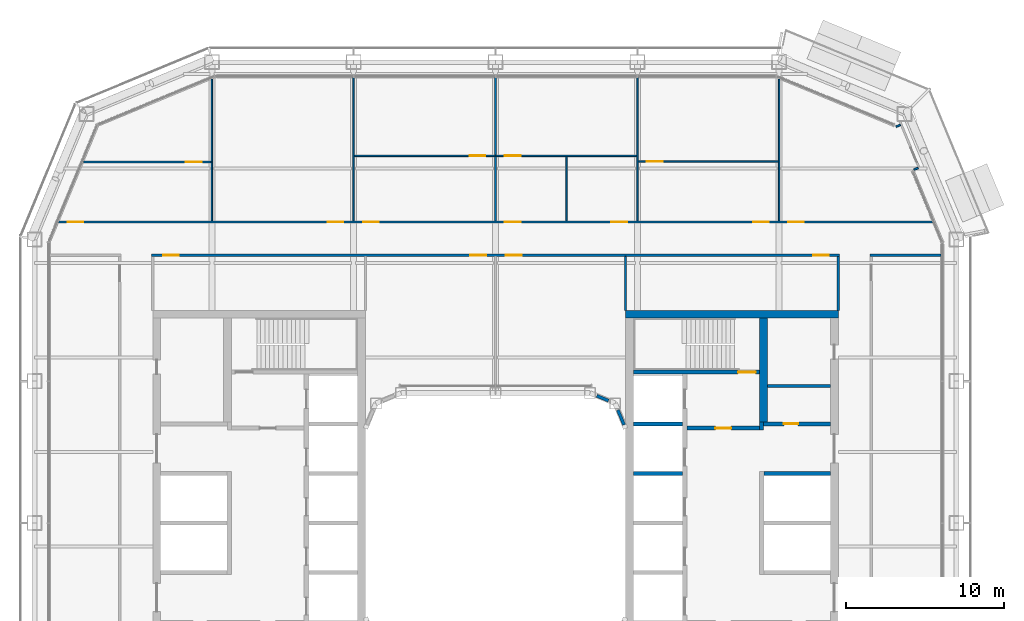
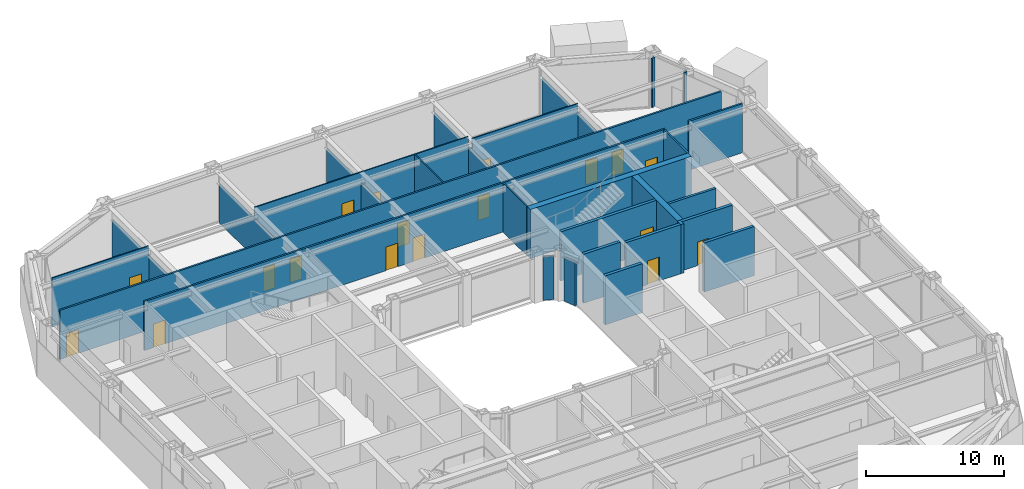
# One storey, part 14 of 24: 29 walls, 18 doors, 18 openings.
"""IFC4 building model written with IfcOpenShell, lengths in metres."""

import ifcopenshell
import ifcopenshell.guid

model = None  # the IFC model being written
_history = None  # IfcOwnerHistory: only IFC2X3 demands one
_inside = {}  # id of a spatial element -> (the spatial element, [elements in it])
_under = {}  # id of a project, library or spatial element -> (it, [spatial elements below it])
_declared = {}  # id of a project -> (the project, [libraries it declares])
_typed = {}  # id of a type object -> (the type object, [elements of that type])
_made_of = {}  # id of a material, layer set ... -> (it, [elements and type objects made of it])


def new_model(schema):
    """Start an empty IFC model of exactly this schema.

    Asked for "IFC4X3", IfcOpenShell would pick the latest addendum, in which some entities
    have other attributes; the version numbers below select the first issue.
    IFC2X3 requires an IfcOwnerHistory on every rooted entity: one is made here for all.
    """
    global model, _history
    if schema == "IFC4X3":
        model = ifcopenshell.file(schema_version=(4, 3, 0, 0))
    else:
        model = ifcopenshell.file(schema=schema)
    _inside.clear()
    _under.clear()
    _declared.clear()
    _typed.clear()
    _made_of.clear()
    _history = None
    if model.schema == "IFC2X3":
        org = make("IfcOrganization", Name="unknown")
        user = make(
            "IfcPersonAndOrganization",
            ThePerson=make("IfcPerson", FamilyName="unknown"),
            TheOrganization=org,
        )
        app = make(
            "IfcApplication",
            ApplicationDeveloper=org,
            Version="unknown",
            ApplicationFullName="unknown",
            ApplicationIdentifier="unknown",
        )
        _history = make(
            "IfcOwnerHistory",
            OwningUser=user,
            OwningApplication=app,
            ChangeAction="ADDED",
            CreationDate=0,
        )
    return model


def make(cls, **values):
    """One entity of the class cls with the attributes given. An attribute that is None is left unset."""
    return model.create_entity(
        cls, **{name: value for name, value in values.items() if value is not None}
    )


def rooted(cls, **values):
    """An entity with a GlobalId (a new one), such as an element, a storey or a relation."""
    return make(cls, GlobalId=ifcopenshell.guid.new(), OwnerHistory=_history, **values)


def si_unit(unit_type, name, prefix=None):
    """IfcSIUnit, for example si_unit("LENGTHUNIT", "METRE", prefix="MILLI")."""
    return make("IfcSIUnit", UnitType=unit_type, Prefix=prefix, Name=name)


def assignment(units):
    """IfcUnitAssignment: the units of a project."""
    return None if units is None else make("IfcUnitAssignment", Units=units)


def point(xyz):
    """IfcCartesianPoint."""
    return None if xyz is None else make("IfcCartesianPoint", Coordinates=xyz)


def direction(xyz):
    """IfcDirection."""
    return None if xyz is None else make("IfcDirection", DirectionRatios=xyz)


def frame(location, z_axis=None, x_axis=None):
    """IfcAxis2Placement3D, a coordinate frame: its origin and axes. An axis left out is left unset."""
    return make(
        "IfcAxis2Placement3D",
        Location=point(location),
        Axis=direction(z_axis),
        RefDirection=direction(x_axis),
    )


def frame_2d(location, x_axis=None):
    """IfcAxis2Placement2D, a coordinate frame in the plane: its origin and x axis."""
    return make(
        "IfcAxis2Placement2D", Location=point(location), RefDirection=direction(x_axis)
    )


def origin():
    """The frame at (0, 0, 0) with its axes left unset."""
    return frame((0.0, 0.0, 0.0))


def place(relative_to, where):
    """IfcLocalPlacement: puts the frame where relative to a parent placement (None: the world)."""
    return make(
        "IfcLocalPlacement", PlacementRelTo=relative_to, RelativePlacement=where
    )


def context(
    kind, dimensions, precision=None, world=None, true_north=None, identifier=None
):
    """IfcGeometricRepresentationContext, for example the 3D "Model" context."""
    return make(
        "IfcGeometricRepresentationContext",
        ContextIdentifier=identifier,
        ContextType=kind,
        CoordinateSpaceDimension=dimensions,
        Precision=precision,
        WorldCoordinateSystem=world,
        TrueNorth=true_north,
    )


def subcontext(parent, identifier, kind, view, scale=None):
    """IfcGeometricRepresentationSubContext, for example "Body" below "Model"."""
    return make(
        "IfcGeometricRepresentationSubContext",
        ContextIdentifier=identifier,
        ContextType=kind,
        ParentContext=parent,
        TargetScale=scale,
        TargetView=view,
    )


def project(units=None, contexts=None):
    """IfcProject with its units and contexts."""
    return rooted(
        "IfcProject",
        Name="project",
        RepresentationContexts=contexts,
        UnitsInContext=assignment(units),
    )


def spatial(cls, under=None, at=None, **own):
    """A site, building, storey or space (cls), placed at a placement, below another one or the project."""
    s = rooted(cls, ObjectPlacement=at, **own)
    if under is not None:
        _under.setdefault(under.id(), (under, []))[1].append(s)
    return s


def profile(cls, at=None, kind="AREA", **sizes):
    """A parametric profile (cls). Its sizes go by their IFC names, for example OverallWidth=200.0."""
    return make(cls, ProfileType=kind, Position=at, **sizes)


def rectangle(**sizes):
    """IfcRectangleProfileDef."""
    return profile("IfcRectangleProfileDef", **sizes)


def extrude(swept, where, along, depth):
    """IfcExtrudedAreaSolid: the profile swept, set in the frame where, extruded along a direction by depth."""
    return make(
        "IfcExtrudedAreaSolid",
        SweptArea=swept,
        Position=where,
        ExtrudedDirection=direction(along),
        Depth=depth,
    )


def shape(context_of_items, identifier, shape_type, items):
    """IfcShapeRepresentation: the items that make up one representation, for example the "Body"."""
    return make(
        "IfcShapeRepresentation",
        ContextOfItems=context_of_items,
        RepresentationIdentifier=identifier,
        RepresentationType=shape_type,
        Items=items,
    )


def material(Name=None, Category=None):
    """IfcMaterial."""
    return make("IfcMaterial", Name=Name, Category=Category)


def layer(
    of_material, thickness, ventilated=None, Name=None, Category=None, Priority=None
):
    """IfcMaterialLayer: one layer of a wall or slab, of a material (None: an air gap)."""
    return make(
        "IfcMaterialLayer",
        Material=of_material,
        LayerThickness=thickness,
        IsVentilated=ventilated,
        Name=Name,
        Category=Category,
        Priority=Priority,
    )


def layer_set(layers, Name=None):
    """IfcMaterialLayerSet."""
    return make("IfcMaterialLayerSet", MaterialLayers=layers, LayerSetName=Name)


def made_of(thing, what):
    """Note that an element or type object is made of a material, layer set ...; save() writes the relation."""
    if what is not None:
        _made_of.setdefault(what.id(), (what, []))[1].append(thing)
    return thing


def type_object(cls, material=None, **own):
    """A type object (cls), such as IfcWallType, which elements share."""
    return made_of(rooted(cls, **own), material)


def element(
    cls,
    number,
    at=None,
    inside=None,
    cuts=None,
    type_object=None,
    material=None,
    context=None,
    identifier="Body",
    shape_type=None,
    held_by="IfcProductDefinitionShape",
    body=None,
    shapes=None,
    **own,
):
    """One element of the class cls, such as IfcWall. Its Tag is "e" and its number.

    at: its placement. inside: the storey or other place that contains it. cuts: it is an
    opening in that element (IfcRelVoidsElement). A single representation is given by context,
    identifier, shape_type and body (its items); several are given by shapes. held_by: the class
    of the entity that holds the representations. save() writes the other relations.
    """
    e = rooted(cls, Tag="e%d" % number, ObjectPlacement=at, **own)
    if body is not None:
        shapes = [shape(context, identifier, shape_type, body)]
    if shapes is not None:
        e.Representation = make(held_by, Representations=shapes)
    if inside is not None:
        _inside.setdefault(inside.id(), (inside, []))[1].append(e)
    if cuts is not None:
        rooted(
            "IfcRelVoidsElement", RelatingBuildingElement=cuts, RelatedOpeningElement=e
        )
    if type_object is not None:
        _typed.setdefault(type_object.id(), (type_object, []))[1].append(e)
    return made_of(e, material)


def fill(opening, filler):
    """IfcRelFillsElement: the door or window that sits in an opening."""
    return rooted(
        "IfcRelFillsElement",
        RelatingOpeningElement=opening,
        RelatedBuildingElement=filler,
    )


def aggregate(whole, parts):
    """IfcRelAggregates: a whole, such as a stair, and the parts it consists of."""
    return rooted("IfcRelAggregates", RelatingObject=whole, RelatedObjects=parts)


def save(model, path):
    """Write the relations noted so far, then the file.

    IfcRelAggregates (storeys below a building ...), IfcRelContainedInSpatialStructure (elements
    in a storey), IfcRelDefinesByType, IfcRelAssociatesMaterial and IfcRelDeclares: one each for
    every whole, place, type object, material and project.
    """
    for whole, parts in _under.values():
        aggregate(whole, parts)
    for where, things in _inside.values():
        rooted(
            "IfcRelContainedInSpatialStructure",
            RelatedElements=things,
            RelatingStructure=where,
        )
    for kind, things in _typed.values():
        rooted("IfcRelDefinesByType", RelatedObjects=things, RelatingType=kind)
    for what, things in _made_of.values():
        rooted("IfcRelAssociatesMaterial", RelatedObjects=things, RelatingMaterial=what)
    for by, libraries in _declared.values():
        rooted("IfcRelDeclares", RelatingContext=by, RelatedDefinitions=libraries)
    model.write(path)


model = new_model("IFC4")

# Units and contexts
model_context = context("Model", 3, precision=1e-05, world=origin(), true_north=direction((0.0, 1.0)))
body_context = subcontext(model_context, "Body", "Model", "MODEL_VIEW")
ifc_project = project(units=[si_unit("LENGTHUNIT", "METRE"), si_unit("AREAUNIT", "SQUARE_METRE"), si_unit("VOLUMEUNIT", "CUBIC_METRE"), si_unit("PLANEANGLEUNIT", "RADIAN"), si_unit("MASSUNIT", "GRAM", prefix="KILO")], contexts=[model_context])

# Site, building, storey
site_placement = place(None, origin())
site = spatial("IfcSite", under=ifc_project, at=site_placement, CompositionType="ELEMENT")
building_placement = place(site_placement, origin())
building = spatial("IfcBuilding", under=site, at=building_placement, Name="Siwar Civic Tower", CompositionType="ELEMENT")
storey_placement = place(building_placement, frame((0.0, 0.0, 113.699951171875)))
storey = spatial("IfcBuildingStorey", under=building, at=storey_placement, Name="L24", CompositionType="ELEMENT", Elevation=113.699951171875)

# Wall
ifc_material_1 = material(Name="Gypsum board on steel studs", Category="steel")
ifc_layer_1 = layer(ifc_material_1, 0.199951171875)
ifc_layer_set_1 = layer_set([ifc_layer_1], Name="Gypsum board on steel studs")
wall_type_1 = type_object("IfcWallType", Name="CORE-PARTITION-200", PredefinedType="PARTITIONING", material=ifc_layer_set_1)
wall_1_placement = place(storey_placement, frame((17.25, 8.699951171875, 0.0), z_axis=(0.0, 0.0, 1.0), x_axis=(1.0, 0.0, 0.0)))
element("IfcWall", 1, at=wall_1_placement, inside=storey, type_object=wall_type_1, Name="Core partition E", PredefinedType="PARTITIONING", context=body_context, shape_type="SweptSolid", body=[
    extrude(rectangle(XDim=4.0, YDim=0.199951171875, at=frame_2d((2.0, 0.0))), origin(), (0.0, 0.0, 1.0), 4.35009765625),
])

# Wall, opening, door
ifc_material_2 = material(Name="Concrete C60/75", Category="concrete")
ifc_layer_2 = layer(ifc_material_2, 0.25)
ifc_layer_set_2 = layer_set([ifc_layer_2], Name="Concrete C60/75")
wall_type_2 = type_object("IfcWallType", Name="CORE-WALL-RC250", PredefinedType="SHEAR", material=ifc_layer_set_2)
wall_2_placement = place(storey_placement, frame((12.14990234375, 6.02490234375, 0.0), z_axis=(0.0, 0.0, 1.0), x_axis=(1.0, 0.0, 0.0)))
wall_2 = element("IfcWall", 2, at=wall_2_placement, inside=storey, type_object=wall_type_2, Name="Core wall E", PredefinedType="SHEAR", context=body_context, shape_type="SweptSolid", body=[
    extrude(rectangle(XDim=4.60009765625, YDim=0.25, at=frame_2d((2.300048828125, 0.0))), origin(), (0.0, 0.0, 1.0), 4.35009765625),
])
opening_1_placement = place(wall_2_placement, frame((1.800048828125, 0.0, 0.0)))
opening_1 = element("IfcOpeningElement", 3, at=opening_1_placement, cuts=wall_2, Name="Opening L24-CE01", PredefinedType="OPENING", context=body_context, shape_type="SweptSolid", body=[
    extrude(rectangle(XDim=1.0, YDim=2.10009765625, at=frame_2d((0.5, 1.050048828125))), frame((0.0, 0.135009765625, 0.0), z_axis=(0.0, -1.0, 0.0), x_axis=(1.0, 0.0, 0.0)), (0.0, 0.0, 1.0), 0.27001953125),
])
ifc_material_3 = material(Name="Steel door leaf", Category="steel")
door_type_1 = type_object("IfcDoorType", Name="CORE-DOOR-FD30S", OperationType="SINGLE_SWING_LEFT", PredefinedType="DOOR", material=ifc_material_3)
door_1_placement = place(opening_1_placement, origin())
door_1 = element("IfcDoor", 4, at=door_1_placement, inside=storey, type_object=door_type_1, Name="Firefighting lobby door L24-CE01", OperationType="SINGLE_SWING_RIGHT", OverallHeight=2.10009765625, OverallWidth=1.0, PredefinedType="DOOR", context=body_context, shape_type="SweptSolid", body=[
    extrude(rectangle(XDim=1.0, YDim=2.10009765625, at=frame_2d((0.5, 1.050048828125))), frame((0.0, 0.02490234375, 0.0), z_axis=(0.0, -1.0, 0.0), x_axis=(1.0, 0.0, 0.0)), (0.0, 0.0, 1.0), 0.050048828125),
])
fill(opening_1, door_1)

# Wall
wall_3_placement = place(storey_placement, frame((16.875, 5.89990234375, 0.0), z_axis=(0.0, 0.0, 1.0), x_axis=(0.0, 1.0, 0.0)))
element("IfcWall", 5, at=wall_3_placement, inside=storey, type_object=wall_type_2, Name="Core wall E", PredefinedType="SHEAR", context=body_context, shape_type="SweptSolid", body=[
    extrude(rectangle(XDim=0.525146484375, YDim=0.25, at=frame_2d((0.2626953125, 0.0))), origin(), (0.0, 0.0, 1.0), 4.35009765625),
])

# Wall, opening, door
wall_4_placement = place(storey_placement, frame((17.0, 6.300048828125, 0.0), z_axis=(0.0, 0.0, 1.0), x_axis=(1.0, 0.0, 0.0)))
wall_4 = element("IfcWall", 6, at=wall_4_placement, inside=storey, type_object=wall_type_2, Name="Core wall E", PredefinedType="SHEAR", context=body_context, shape_type="SweptSolid", body=[
    extrude(rectangle(XDim=4.25, YDim=0.25, at=frame_2d((2.125, 0.0))), origin(), (0.0, 0.0, 1.0), 4.35009765625),
])
opening_2_placement = place(wall_4_placement, frame((1.300048828125, 0.0, 0.0)))
opening_2 = element("IfcOpeningElement", 7, at=opening_2_placement, cuts=wall_4, Name="Opening L24-CE13", PredefinedType="OPENING", context=body_context, shape_type="SweptSolid", body=[
    extrude(rectangle(XDim=0.89990234375, YDim=2.10009765625, at=frame_2d((0.449951171875, 1.050048828125))), frame((0.0, 0.135009765625, 0.0), z_axis=(0.0, -1.0, 0.0), x_axis=(1.0, 0.0, 0.0)), (0.0, 0.0, 1.0), 0.27001953125),
])
ifc_material_4 = material(Name="Steel door leaf", Category="steel")
door_type_2 = type_object("IfcDoorType", Name="CORE-DOOR-ROOM", OperationType="SINGLE_SWING_LEFT", PredefinedType="DOOR", material=ifc_material_4)
door_2_placement = place(opening_2_placement, origin())
door_2 = element("IfcDoor", 8, at=door_2_placement, inside=storey, type_object=door_type_2, Name="Core room door L24-CE13", OperationType="SINGLE_SWING_RIGHT", OverallHeight=2.10009765625, OverallWidth=0.89990234375, PredefinedType="DOOR", context=body_context, shape_type="SweptSolid", body=[
    extrude(rectangle(XDim=0.89990234375, YDim=2.10009765625, at=frame_2d((0.449951171875, 1.050048828125))), frame((0.0, 0.02490234375, 0.0), z_axis=(0.0, -1.0, 0.0), x_axis=(1.0, 0.0, 0.0)), (0.0, 0.0, 1.0), 0.050048828125),
])
fill(opening_2, door_2)

# Walls
wall_5_placement = place(storey_placement, frame((17.050048828125, 3.14990234375, 0.0), z_axis=(0.0, 0.0, 1.0), x_axis=(1.0, 0.0, 0.0)))
element("IfcWall", 9, at=wall_5_placement, inside=storey, type_object=wall_type_2, Name="Core wall E", PredefinedType="SHEAR", context=body_context, shape_type="SweptSolid", body=[
    extrude(rectangle(XDim=4.199951171875, YDim=0.25, at=frame_2d((2.10009765625, 0.0))), origin(), (0.0, 0.0, 1.0), 4.35009765625),
])
for number, where, z_axis, x_axis, name in (
    (10, (8.75, 3.14990234375, 0.0), (0.0, 0.0, 1.0), (1.0, 0.0, 0.0), "Core wall E"),
    (11, (8.75, 6.300048828125, 0.0), (0.0, 0.0, 1.0), (1.0, 0.0, 0.0), "Core wall E"),
):
    element("IfcWall", number, at=place(storey_placement, frame(where, z_axis=z_axis, x_axis=x_axis)), inside=storey, type_object=wall_type_2, Name=name, PredefinedType="SHEAR", context=body_context, shape_type="SweptSolid", body=[
        extrude(rectangle(XDim=3.10009765625, YDim=0.25, at=frame_2d((1.550048828125, 0.0))), origin(), (0.0, 0.0, 1.0), 4.35009765625),
    ])

# Wall, opening, door
wall_6_placement = place(storey_placement, frame((8.75, 9.574951171875, 0.0), z_axis=(0.0, 0.0, 1.0), x_axis=(1.0, 0.0, 0.0)))
wall_6 = element("IfcWall", 12, at=wall_6_placement, inside=storey, type_object=wall_type_2, Name="Core wall E", PredefinedType="SHEAR", context=body_context, shape_type="SweptSolid", body=[
    extrude(rectangle(XDim=8.0, YDim=0.25, at=frame_2d((4.0, 0.0))), origin(), (0.0, 0.0, 1.0), 4.35009765625),
])
opening_3_placement = place(wall_6_placement, frame((6.64990234375, 0.0, 0.0)))
opening_3 = element("IfcOpeningElement", 13, at=opening_3_placement, cuts=wall_6, Name="Opening L24-CE03", PredefinedType="OPENING", context=body_context, shape_type="SweptSolid", body=[
    extrude(rectangle(XDim=1.10009765625, YDim=2.10009765625, at=frame_2d((0.550048828125, 1.050048828125))), frame((0.0, 0.135009765625, 0.0), z_axis=(0.0, -1.0, 0.0), x_axis=(1.0, 0.0, 0.0)), (0.0, 0.0, 1.0), 0.27001953125),
])
ifc_material_5 = material(Name="Steel door leaf", Category="steel")
door_type_3 = type_object("IfcDoorType", Name="CORE-DOOR-FD60S", OperationType="SINGLE_SWING_LEFT", PredefinedType="DOOR", material=ifc_material_5)
door_3_placement = place(opening_3_placement, origin())
door_3 = element("IfcDoor", 14, at=door_3_placement, inside=storey, type_object=door_type_3, Name="Stair door L24-CE03", OperationType="SINGLE_SWING_LEFT", OverallHeight=2.10009765625, OverallWidth=1.10009765625, PredefinedType="DOOR", context=body_context, shape_type="SweptSolid", body=[
    extrude(rectangle(XDim=1.10009765625, YDim=2.10009765625, at=frame_2d((0.550048828125, 1.050048828125))), frame((0.0, 0.02490234375, 0.0), z_axis=(0.0, -1.0, 0.0), x_axis=(1.0, 0.0, 0.0)), (0.0, 0.0, 1.0), 0.050048828125),
])
fill(opening_3, door_3)

# Walls
ifc_material_6 = material(Name="Concrete C60/75", Category="concrete")
ifc_layer_3 = layer(ifc_material_6, 0.5)
ifc_layer_set_3 = layer_set([ifc_layer_3], Name="Concrete C60/75")
wall_type_3 = type_object("IfcWallType", Name="CORE-WALL-RC500", PredefinedType="SHEAR", material=ifc_layer_set_3)
wall_7_placement = place(storey_placement, frame((17.0, 6.425048828125, 0.0), z_axis=(0.0, 0.0, 1.0), x_axis=(0.0, 1.0, 0.0)))
element("IfcWall", 15, at=wall_7_placement, inside=storey, type_object=wall_type_3, Name="Core wall E", PredefinedType="SHEAR", context=body_context, shape_type="SweptSolid", body=[
    extrude(rectangle(XDim=6.574951171875, YDim=0.5, at=frame_2d((3.28759765625, 0.0))), origin(), (0.0, 0.0, 1.0), 4.35009765625),
])
wall_8_placement = place(storey_placement, frame((8.25, 13.25, 0.0), z_axis=(0.0, 0.0, 1.0), x_axis=(1.0, 0.0, 0.0)))
element("IfcWall", 16, at=wall_8_placement, inside=storey, type_object=wall_type_3, Name="Core wall E", PredefinedType="SHEAR", context=body_context, shape_type="SweptSolid", body=[
    extrude(rectangle(XDim=13.5, YDim=0.5, at=frame_2d((6.75, 0.0))), origin(), (0.0, 0.0, 1.0), 4.35009765625),
])

# Wall, openings, doors
ifc_material_7 = material(Name="Gypsum board on steel studs", Category="steel")
ifc_layer_4 = layer(ifc_material_7, 0.14990234375)
ifc_layer_set_4 = layer_set([ifc_layer_4], Name="Gypsum board on steel studs")
wall_type_4 = type_object("IfcWallType", Name="CORRIDOR PARTITION 150 EI 30", PredefinedType="PARTITIONING", material=ifc_layer_set_4)
wall_9_placement = place(storey_placement, frame((-21.824951171875, 17.0, 0.0), z_axis=(0.0, 0.0, 1.0), x_axis=(1.0, 0.0, 0.0)))
wall_9 = element("IfcWall", 17, at=wall_9_placement, inside=storey, type_object=wall_type_4, Name="L24/wall/P12", PredefinedType="PARTITIONING", context=body_context, shape_type="SweptSolid", body=[
    extrude(rectangle(XDim=43.64990234375, YDim=0.14990234375, at=frame_2d((21.824951171875, 0.0))), origin(), (0.0, 0.0, 1.0), 4.35009765625),
])
opening_4_placement = place(wall_9_placement, frame((20.22509765625, 0.0, 0.0)))
opening_4 = element("IfcOpeningElement", 18, at=opening_4_placement, cuts=wall_9, Name="Opening D1", PredefinedType="OPENING", context=body_context, shape_type="SweptSolid", body=[
    extrude(rectangle(XDim=1.0, YDim=2.10009765625, at=frame_2d((0.5, 1.050048828125))), frame((0.0, 0.0849609375, 0.0), z_axis=(0.0, -1.0, 0.0), x_axis=(1.0, 0.0, 0.0)), (0.0, 0.0, 1.0), 0.169921875),
])
opening_5_placement = place(wall_9_placement, frame((22.47509765625, 0.0, 0.0)))
opening_5 = element("IfcOpeningElement", 19, at=opening_5_placement, cuts=wall_9, Name="Opening D1", PredefinedType="OPENING", context=body_context, shape_type="SweptSolid", body=[
    extrude(rectangle(XDim=1.0, YDim=2.10009765625, at=frame_2d((0.5, 1.050048828125))), frame((0.0, 0.0849609375, 0.0), z_axis=(0.0, -1.0, 0.0), x_axis=(1.0, 0.0, 0.0)), (0.0, 0.0, 1.0), 0.169921875),
])
opening_6_placement = place(wall_9_placement, frame((0.72509765625, 0.0, 0.0)))
opening_6 = element("IfcOpeningElement", 20, at=opening_6_placement, cuts=wall_9, Name="Opening D1", PredefinedType="OPENING", context=body_context, shape_type="SweptSolid", body=[
    extrude(rectangle(XDim=1.0, YDim=2.10009765625, at=frame_2d((0.5, 1.050048828125))), frame((0.0, 0.0849609375, 0.0), z_axis=(0.0, -1.0, 0.0), x_axis=(1.0, 0.0, 0.0)), (0.0, 0.0, 1.0), 0.169921875),
])
opening_7_placement = place(wall_9_placement, frame((41.97509765625, 0.0, 0.0)))
opening_7 = element("IfcOpeningElement", 21, at=opening_7_placement, cuts=wall_9, Name="Opening D1", PredefinedType="OPENING", context=body_context, shape_type="SweptSolid", body=[
    extrude(rectangle(XDim=1.0, YDim=2.10009765625, at=frame_2d((0.5, 1.050048828125))), frame((0.0, 0.0849609375, 0.0), z_axis=(0.0, -1.0, 0.0), x_axis=(1.0, 0.0, 0.0)), (0.0, 0.0, 1.0), 0.169921875),
])
ifc_material_8 = material(Name="Timber, painted", Category="wood")
door_type_4 = type_object("IfcDoorType", Name="DOOR 1000 X 2100 FD30", OperationType="SINGLE_SWING_LEFT", PredefinedType="DOOR", material=ifc_material_8)
door_4_placement = place(opening_4_placement, origin())
door_4 = element("IfcDoor", 22, at=door_4_placement, inside=storey, type_object=door_type_4, Name="L24-D22", OperationType="SINGLE_SWING_RIGHT", OverallHeight=2.10009765625, OverallWidth=1.0, PredefinedType="DOOR", context=body_context, shape_type="SweptSolid", body=[
    extrude(rectangle(XDim=1.0, YDim=2.10009765625, at=frame_2d((0.5, 1.050048828125))), frame((0.0, 0.02490234375, 0.0), z_axis=(0.0, -1.0, 0.0), x_axis=(1.0, 0.0, 0.0)), (0.0, 0.0, 1.0), 0.050048828125),
])
fill(opening_4, door_4)
door_5_placement = place(opening_5_placement, origin())
door_5 = element("IfcDoor", 23, at=door_5_placement, inside=storey, type_object=door_type_4, Name="L24-D23", OperationType="SINGLE_SWING_LEFT", OverallHeight=2.10009765625, OverallWidth=1.0, PredefinedType="DOOR", context=body_context, shape_type="SweptSolid", body=[
    extrude(rectangle(XDim=1.0, YDim=2.10009765625, at=frame_2d((0.5, 1.050048828125))), frame((0.0, 0.02490234375, 0.0), z_axis=(0.0, -1.0, 0.0), x_axis=(1.0, 0.0, 0.0)), (0.0, 0.0, 1.0), 0.050048828125),
])
fill(opening_5, door_5)
door_6_placement = place(opening_6_placement, origin())
door_6 = element("IfcDoor", 24, at=door_6_placement, inside=storey, type_object=door_type_4, Name="L24-D29", OperationType="SINGLE_SWING_LEFT", OverallHeight=2.10009765625, OverallWidth=1.0, PredefinedType="DOOR", context=body_context, shape_type="SweptSolid", body=[
    extrude(rectangle(XDim=1.0, YDim=2.10009765625, at=frame_2d((0.5, 1.050048828125))), frame((0.0, 0.02490234375, 0.0), z_axis=(0.0, -1.0, 0.0), x_axis=(1.0, 0.0, 0.0)), (0.0, 0.0, 1.0), 0.050048828125),
])
fill(opening_6, door_6)
door_7_placement = place(opening_7_placement, origin())
door_7 = element("IfcDoor", 25, at=door_7_placement, inside=storey, type_object=door_type_4, Name="L24-D30", OperationType="SINGLE_SWING_RIGHT", OverallHeight=2.10009765625, OverallWidth=1.0, PredefinedType="DOOR", context=body_context, shape_type="SweptSolid", body=[
    extrude(rectangle(XDim=1.0, YDim=2.10009765625, at=frame_2d((0.5, 1.050048828125))), frame((0.0, 0.02490234375, 0.0), z_axis=(0.0, -1.0, 0.0), x_axis=(1.0, 0.0, 0.0)), (0.0, 0.0, 1.0), 0.050048828125),
])
fill(opening_7, door_7)

# Wall
wall_10_placement = place(storey_placement, frame((23.77490234375, 17.0, 0.0), z_axis=(0.0, 0.0, 1.0), x_axis=(1.0, 0.0, 0.0)))
element("IfcWall", 26, at=wall_10_placement, inside=storey, type_object=wall_type_4, Name="L24/wall/P13", PredefinedType="PARTITIONING", context=body_context, shape_type="SweptSolid", body=[
    extrude(rectangle(XDim=4.485107421875, YDim=0.14990234375, at=frame_2d((2.24267578125, 0.0))), origin(), (0.0, 0.0, 1.0), 4.35009765625),
])

# Wall, openings, doors
wall_11_placement = place(storey_placement, frame((-27.722900390625, 19.10009765625, 0.0), z_axis=(0.0, 0.0, 1.0), x_axis=(1.0, 0.0, 0.0)))
wall_11 = element("IfcWall", 27, at=wall_11_placement, inside=storey, type_object=wall_type_4, Name="L24/wall/P14", PredefinedType="PARTITIONING", context=body_context, shape_type="SweptSolid", body=[
    extrude(rectangle(XDim=55.44580078125, YDim=0.14990234375, at=frame_2d((27.722900390625, 0.0))), origin(), (0.0, 0.0, 1.0), 4.35009765625),
])
opening_8_placement = place(wall_11_placement, frame((17.072998046875, 0.0, 0.0)))
opening_8 = element("IfcOpeningElement", 28, at=opening_8_placement, cuts=wall_11, Name="Opening D1", PredefinedType="OPENING", context=body_context, shape_type="SweptSolid", body=[
    extrude(rectangle(XDim=1.0, YDim=2.10009765625, at=frame_2d((0.5, 1.050048828125))), frame((0.0, 0.0849609375, 0.0), z_axis=(0.0, -1.0, 0.0), x_axis=(1.0, 0.0, 0.0)), (0.0, 0.0, 1.0), 0.169921875),
])
opening_9_placement = place(wall_11_placement, frame((19.322998046875, 0.0, 0.0)))
opening_9 = element("IfcOpeningElement", 29, at=opening_9_placement, cuts=wall_11, Name="Opening D1", PredefinedType="OPENING", context=body_context, shape_type="SweptSolid", body=[
    extrude(rectangle(XDim=1.0, YDim=2.10009765625, at=frame_2d((0.5, 1.050048828125))), frame((0.0, 0.0849609375, 0.0), z_axis=(0.0, -1.0, 0.0), x_axis=(1.0, 0.0, 0.0)), (0.0, 0.0, 1.0), 0.169921875),
])
opening_10_placement = place(wall_11_placement, frame((28.322998046875, 0.0, 0.0)))
opening_10 = element("IfcOpeningElement", 30, at=opening_10_placement, cuts=wall_11, Name="Opening D1", PredefinedType="OPENING", context=body_context, shape_type="SweptSolid", body=[
    extrude(rectangle(XDim=1.0, YDim=2.10009765625, at=frame_2d((0.5, 1.050048828125))), frame((0.0, 0.0849609375, 0.0), z_axis=(0.0, -1.0, 0.0), x_axis=(1.0, 0.0, 0.0)), (0.0, 0.0, 1.0), 0.169921875),
])
opening_11_placement = place(wall_11_placement, frame((35.072998046875, 0.0, 0.0)))
opening_11 = element("IfcOpeningElement", 31, at=opening_11_placement, cuts=wall_11, Name="Opening D1", PredefinedType="OPENING", context=body_context, shape_type="SweptSolid", body=[
    extrude(rectangle(XDim=1.0, YDim=2.10009765625, at=frame_2d((0.5, 1.050048828125))), frame((0.0, 0.0849609375, 0.0), z_axis=(0.0, -1.0, 0.0), x_axis=(1.0, 0.0, 0.0)), (0.0, 0.0, 1.0), 0.169921875),
])
opening_12_placement = place(wall_11_placement, frame((44.072998046875, 0.0, 0.0)))
opening_12 = element("IfcOpeningElement", 32, at=opening_12_placement, cuts=wall_11, Name="Opening D1", PredefinedType="OPENING", context=body_context, shape_type="SweptSolid", body=[
    extrude(rectangle(XDim=1.0, YDim=2.10009765625, at=frame_2d((0.5, 1.050048828125))), frame((0.0, 0.0849609375, 0.0), z_axis=(0.0, -1.0, 0.0), x_axis=(1.0, 0.0, 0.0)), (0.0, 0.0, 1.0), 0.169921875),
])
opening_13_placement = place(wall_11_placement, frame((0.572998046875, 0.0, 0.0)))
opening_13 = element("IfcOpeningElement", 33, at=opening_13_placement, cuts=wall_11, Name="Opening D1", PredefinedType="OPENING", context=body_context, shape_type="SweptSolid", body=[
    extrude(rectangle(XDim=1.0, YDim=2.10009765625, at=frame_2d((0.5, 1.050048828125))), frame((0.0, 0.0849609375, 0.0), z_axis=(0.0, -1.0, 0.0), x_axis=(1.0, 0.0, 0.0)), (0.0, 0.0, 1.0), 0.169921875),
])
opening_14_placement = place(wall_11_placement, frame((46.2958984375, 0.0, 0.0)))
opening_14 = element("IfcOpeningElement", 34, at=opening_14_placement, cuts=wall_11, Name="Opening D1", PredefinedType="OPENING", context=body_context, shape_type="SweptSolid", body=[
    extrude(rectangle(XDim=1.0, YDim=2.10009765625, at=frame_2d((0.5, 1.050048828125))), frame((0.0, 0.0849609375, 0.0), z_axis=(0.0, -1.0, 0.0), x_axis=(1.0, 0.0, 0.0)), (0.0, 0.0, 1.0), 0.169921875),
])
door_8_placement = place(opening_8_placement, origin())
door_8 = element("IfcDoor", 35, at=door_8_placement, inside=storey, type_object=door_type_4, Name="L24-D01", OperationType="SINGLE_SWING_LEFT", OverallHeight=2.10009765625, OverallWidth=1.0, PredefinedType="DOOR", context=body_context, shape_type="SweptSolid", body=[
    extrude(rectangle(XDim=1.0, YDim=2.10009765625, at=frame_2d((0.5, 1.050048828125))), frame((0.0, 0.02490234375, 0.0), z_axis=(0.0, -1.0, 0.0), x_axis=(1.0, 0.0, 0.0)), (0.0, 0.0, 1.0), 0.050048828125),
])
fill(opening_8, door_8)
door_9_placement = place(opening_9_placement, origin())
door_9 = element("IfcDoor", 36, at=door_9_placement, inside=storey, type_object=door_type_4, Name="L24-D02", OperationType="SINGLE_SWING_RIGHT", OverallHeight=2.10009765625, OverallWidth=1.0, PredefinedType="DOOR", context=body_context, shape_type="SweptSolid", body=[
    extrude(rectangle(XDim=1.0, YDim=2.10009765625, at=frame_2d((0.5, 1.050048828125))), frame((0.0, 0.02490234375, 0.0), z_axis=(0.0, -1.0, 0.0), x_axis=(1.0, 0.0, 0.0)), (0.0, 0.0, 1.0), 0.050048828125),
])
fill(opening_9, door_9)
door_10_placement = place(opening_10_placement, origin())
door_10 = element("IfcDoor", 37, at=door_10_placement, inside=storey, type_object=door_type_4, Name="L24-D04", OperationType="SINGLE_SWING_RIGHT", OverallHeight=2.10009765625, OverallWidth=1.0, PredefinedType="DOOR", context=body_context, shape_type="SweptSolid", body=[
    extrude(rectangle(XDim=1.0, YDim=2.10009765625, at=frame_2d((0.5, 1.050048828125))), frame((0.0, 0.02490234375, 0.0), z_axis=(0.0, -1.0, 0.0), x_axis=(1.0, 0.0, 0.0)), (0.0, 0.0, 1.0), 0.050048828125),
])
fill(opening_10, door_10)
door_11_placement = place(opening_11_placement, origin())
door_11 = element("IfcDoor", 38, at=door_11_placement, inside=storey, type_object=door_type_4, Name="L24-D05", OperationType="SINGLE_SWING_LEFT", OverallHeight=2.10009765625, OverallWidth=1.0, PredefinedType="DOOR", context=body_context, shape_type="SweptSolid", body=[
    extrude(rectangle(XDim=1.0, YDim=2.10009765625, at=frame_2d((0.5, 1.050048828125))), frame((0.0, 0.02490234375, 0.0), z_axis=(0.0, -1.0, 0.0), x_axis=(1.0, 0.0, 0.0)), (0.0, 0.0, 1.0), 0.050048828125),
])
fill(opening_11, door_11)
door_12_placement = place(opening_12_placement, origin())
door_12 = element("IfcDoor", 39, at=door_12_placement, inside=storey, type_object=door_type_4, Name="L24-D07", OperationType="SINGLE_SWING_LEFT", OverallHeight=2.10009765625, OverallWidth=1.0, PredefinedType="DOOR", context=body_context, shape_type="SweptSolid", body=[
    extrude(rectangle(XDim=1.0, YDim=2.10009765625, at=frame_2d((0.5, 1.050048828125))), frame((0.0, 0.02490234375, 0.0), z_axis=(0.0, -1.0, 0.0), x_axis=(1.0, 0.0, 0.0)), (0.0, 0.0, 1.0), 0.050048828125),
])
fill(opening_12, door_12)
door_13_placement = place(opening_13_placement, origin())
door_13 = element("IfcDoor", 40, at=door_13_placement, inside=storey, type_object=door_type_4, Name="L24-D16", OperationType="SINGLE_SWING_RIGHT", OverallHeight=2.10009765625, OverallWidth=1.0, PredefinedType="DOOR", context=body_context, shape_type="SweptSolid", body=[
    extrude(rectangle(XDim=1.0, YDim=2.10009765625, at=frame_2d((0.5, 1.050048828125))), frame((0.0, 0.02490234375, 0.0), z_axis=(0.0, -1.0, 0.0), x_axis=(1.0, 0.0, 0.0)), (0.0, 0.0, 1.0), 0.050048828125),
])
fill(opening_13, door_13)
door_14_placement = place(opening_14_placement, origin())
door_14 = element("IfcDoor", 41, at=door_14_placement, inside=storey, type_object=door_type_4, Name="L24-D18", OperationType="SINGLE_SWING_RIGHT", OverallHeight=2.10009765625, OverallWidth=1.0, PredefinedType="DOOR", context=body_context, shape_type="SweptSolid", body=[
    extrude(rectangle(XDim=1.0, YDim=2.10009765625, at=frame_2d((0.5, 1.050048828125))), frame((0.0, 0.02490234375, 0.0), z_axis=(0.0, -1.0, 0.0), x_axis=(1.0, 0.0, 0.0)), (0.0, 0.0, 1.0), 0.050048828125),
])
fill(opening_14, door_14)

# Walls
wall_12_placement = place(storey_placement, frame((21.75, 13.5, 0.0), z_axis=(0.0, 0.0, 1.0), x_axis=(0.0, 1.0, 0.0)))
element("IfcWall", 42, at=wall_12_placement, inside=storey, type_object=wall_type_4, Name="L24/wall/P43", PredefinedType="PARTITIONING", context=body_context, shape_type="SweptSolid", body=[
    extrude(rectangle(XDim=3.425048828125, YDim=0.14990234375, at=frame_2d((1.71240234375, 0.0))), origin(), (0.0, 0.0, 1.0), 4.35009765625),
])
ifc_material_9 = material(Name="Aluminium clad insulated panel", Category="aluminium")
ifc_layer_5 = layer(ifc_material_9, 0.1201171875)
ifc_layer_set_5 = layer_set([ifc_layer_5], Name="Aluminium clad insulated panel")
wall_type_5 = type_object("IfcWallType", Name="ENV-WALL-BAL", PredefinedType="STANDARD", material=ifc_layer_set_5)
for number, where, z_axis, x_axis, name in (
    (43, (26.551025390625, 22.42529296875, 0.0), (0.0, 0.0, 1.0), (0.924119333865, 0.382103986862, 0.0), "Balcony door wall return NE1"),
    (44, (25.421142578125, 25.153076171875, 0.0), (0.0, 0.0, 1.0), (0.923698510492, 0.383120166156, 0.0), "Balcony door wall return NE1"),
):
    element("IfcWall", number, at=place(storey_placement, frame(where, z_axis=z_axis, x_axis=x_axis)), inside=storey, type_object=wall_type_5, Name=name, PredefinedType="STANDARD", context=body_context, shape_type="SweptSolid", body=[
        extrude(rectangle(XDim=0.2900390625, YDim=0.1201171875, at=frame_2d((0.14501953125, 0.0))), origin(), (0.0, 0.0, 1.0), 4.35009765625),
    ])
ifc_material_10 = material(Name="Aluminium clad insulated panel", Category="aluminium")
ifc_layer_6 = layer(ifc_material_10, 0.199951171875)
ifc_layer_set_6 = layer_set([ifc_layer_6], Name="Aluminium clad insulated panel")
wall_type_6 = type_object("IfcWallType", Name="ENV-WALL-WELL", PredefinedType="STANDARD", material=ifc_layer_set_6)
wall_13_placement = place(storey_placement, frame((8.154296875, 6.23095703125, 0.0), z_axis=(0.0, 0.0, 1.0), x_axis=(-0.382769662028, 0.923843810301, 0.0)))
element("IfcWall", 45, at=wall_13_placement, inside=storey, type_object=wall_type_6, Name="Light well corner wall NE1", PredefinedType="STANDARD", context=body_context, shape_type="SweptSolid", body=[
    extrude(rectangle(XDim=1.014892578125, YDim=0.199951171875, at=frame_2d((0.50732421875, 0.0))), origin(), (0.0, 0.0, 1.0), 3.825927734375),
])
wall_14_placement = place(storey_placement, frame((7.16845703125, 7.765869140625, 0.0), z_axis=(0.0, 0.0, 1.0), x_axis=(-0.923817771127, 0.382832503518, 0.0)))
element("IfcWall", 46, at=wall_14_placement, inside=storey, type_object=wall_type_6, Name="Light well corner wall NE2", PredefinedType="STANDARD", context=body_context, shape_type="SweptSolid", body=[
    extrude(rectangle(XDim=0.807373046875, YDim=0.199951171875, at=frame_2d((0.40380859375, 0.0))), origin(), (0.0, 0.0, 1.0), 3.825927734375),
])

# Wall, opening, door
ifc_material_11 = material(Name="Gypsum board on steel studs", Category="steel")
ifc_layer_7 = layer(ifc_material_11, 0.10009765625)
ifc_layer_set_7 = layer_set([ifc_layer_7], Name="Gypsum board on steel studs")
wall_type_7 = type_object("IfcWallType", Name="PARTITION 100 GYPSUM", PredefinedType="PARTITIONING", material=ifc_layer_set_7)
wall_15_placement = place(storey_placement, frame((-26.14306640625, 22.9130859375, 0.0), z_axis=(0.0, 0.0, 1.0), x_axis=(1.0, 0.0, 0.0)))
wall_15 = element("IfcWall", 47, at=wall_15_placement, inside=storey, type_object=wall_type_7, Name="L24/wall/P15", PredefinedType="PARTITIONING", context=body_context, shape_type="SweptSolid", body=[
    extrude(rectangle(XDim=8.093017578125, YDim=0.10009765625, at=frame_2d((4.04638671875, 0.0))), origin(), (0.0, 0.0, 1.0), 4.35009765625),
])
opening_15_placement = place(wall_15_placement, frame((6.492919921875, 0.0, 0.0)))
opening_15 = element("IfcOpeningElement", 48, at=opening_15_placement, cuts=wall_15, Name="Opening D2", PredefinedType="OPENING", context=body_context, shape_type="SweptSolid", body=[
    extrude(rectangle(XDim=1.0, YDim=2.10009765625, at=frame_2d((0.5, 1.050048828125))), frame((0.0, 0.06005859375, 0.0), z_axis=(0.0, -1.0, 0.0), x_axis=(1.0, 0.0, 0.0)), (0.0, 0.0, 1.0), 0.1201171875),
])
ifc_material_12 = material(Name="Timber, painted", Category="wood")
door_type_5 = type_object("IfcDoorType", Name="DOOR 1000 X 2100", OperationType="SINGLE_SWING_LEFT", PredefinedType="DOOR", material=ifc_material_12)
door_15_placement = place(opening_15_placement, origin())
door_15 = element("IfcDoor", 49, at=door_15_placement, inside=storey, type_object=door_type_5, Name="L24-D17", OperationType="SINGLE_SWING_LEFT", OverallHeight=2.10009765625, OverallWidth=1.0, PredefinedType="DOOR", context=body_context, shape_type="SweptSolid", body=[
    extrude(rectangle(XDim=1.0, YDim=2.10009765625, at=frame_2d((0.5, 1.050048828125))), frame((0.0, 0.02490234375, 0.0), z_axis=(0.0, -1.0, 0.0), x_axis=(1.0, 0.0, 0.0)), (0.0, 0.0, 1.0), 0.050048828125),
])
fill(opening_15, door_15)

wall_16_placement = place(storey_placement, frame((9.050048828125, 22.947021484375, 0.0), z_axis=(0.0, 0.0, 1.0), x_axis=(1.0, 0.0, 0.0)))
wall_16 = element("IfcWall", 50, at=wall_16_placement, inside=storey, type_object=wall_type_7, Name="L24/wall/P16", PredefinedType="PARTITIONING", context=body_context, shape_type="SweptSolid", body=[
    extrude(rectangle(XDim=8.89990234375, YDim=0.10009765625, at=frame_2d((4.449951171875, 0.0))), origin(), (0.0, 0.0, 1.0), 4.35009765625),
])
opening_16_placement = place(wall_16_placement, frame((0.550048828125, 0.0, 0.0)))
opening_16 = element("IfcOpeningElement", 51, at=opening_16_placement, cuts=wall_16, Name="Opening D2", PredefinedType="OPENING", context=body_context, shape_type="SweptSolid", body=[
    extrude(rectangle(XDim=1.0, YDim=2.10009765625, at=frame_2d((0.5, 1.050048828125))), frame((0.0, 0.06005859375, 0.0), z_axis=(0.0, -1.0, 0.0), x_axis=(1.0, 0.0, 0.0)), (0.0, 0.0, 1.0), 0.1201171875),
])
door_16_placement = place(opening_16_placement, origin())
door_16 = element("IfcDoor", 52, at=door_16_placement, inside=storey, type_object=door_type_5, Name="L24-D08", OperationType="SINGLE_SWING_RIGHT", OverallHeight=2.10009765625, OverallWidth=1.0, PredefinedType="DOOR", context=body_context, shape_type="SweptSolid", body=[
    extrude(rectangle(XDim=1.0, YDim=2.10009765625, at=frame_2d((0.5, 1.050048828125))), frame((0.0, 0.02490234375, 0.0), z_axis=(0.0, -1.0, 0.0), x_axis=(1.0, 0.0, 0.0)), (0.0, 0.0, 1.0), 0.050048828125),
])
fill(opening_16, door_16)

# Wall, openings, doors
wall_17_placement = place(storey_placement, frame((-8.949951171875, 23.300048828125, 0.0), z_axis=(0.0, 0.0, 1.0), x_axis=(1.0, 0.0, 0.0)))
wall_17 = element("IfcWall", 53, at=wall_17_placement, inside=storey, type_object=wall_type_7, Name="L24/wall/P17", PredefinedType="PARTITIONING", context=body_context, shape_type="SweptSolid", body=[
    extrude(rectangle(XDim=17.89990234375, YDim=0.10009765625, at=frame_2d((8.949951171875, 0.0))), origin(), (0.0, 0.0, 1.0), 4.35009765625),
])
opening_17_placement = place(wall_17_placement, frame((7.300048828125, 0.0, 0.0)))
opening_17 = element("IfcOpeningElement", 54, at=opening_17_placement, cuts=wall_17, Name="Opening D2", PredefinedType="OPENING", context=body_context, shape_type="SweptSolid", body=[
    extrude(rectangle(XDim=1.0, YDim=2.10009765625, at=frame_2d((0.5, 1.050048828125))), frame((0.0, 0.06005859375, 0.0), z_axis=(0.0, -1.0, 0.0), x_axis=(1.0, 0.0, 0.0)), (0.0, 0.0, 1.0), 0.1201171875),
])
opening_18_placement = place(wall_17_placement, frame((9.550048828125, 0.0, 0.0)))
opening_18 = element("IfcOpeningElement", 55, at=opening_18_placement, cuts=wall_17, Name="Opening D2", PredefinedType="OPENING", context=body_context, shape_type="SweptSolid", body=[
    extrude(rectangle(XDim=1.0, YDim=2.10009765625, at=frame_2d((0.5, 1.050048828125))), frame((0.0, 0.06005859375, 0.0), z_axis=(0.0, -1.0, 0.0), x_axis=(1.0, 0.0, 0.0)), (0.0, 0.0, 1.0), 0.1201171875),
])
door_17_placement = place(opening_17_placement, origin())
door_17 = element("IfcDoor", 56, at=door_17_placement, inside=storey, type_object=door_type_5, Name="L24-D03", OperationType="SINGLE_SWING_LEFT", OverallHeight=2.10009765625, OverallWidth=1.0, PredefinedType="DOOR", context=body_context, shape_type="SweptSolid", body=[
    extrude(rectangle(XDim=1.0, YDim=2.10009765625, at=frame_2d((0.5, 1.050048828125))), frame((0.0, 0.02490234375, 0.0), z_axis=(0.0, -1.0, 0.0), x_axis=(1.0, 0.0, 0.0)), (0.0, 0.0, 1.0), 0.050048828125),
])
fill(opening_17, door_17)
door_18_placement = place(opening_18_placement, origin())
door_18 = element("IfcDoor", 57, at=door_18_placement, inside=storey, type_object=door_type_5, Name="L24-D06", OperationType="SINGLE_SWING_RIGHT", OverallHeight=2.10009765625, OverallWidth=1.0, PredefinedType="DOOR", context=body_context, shape_type="SweptSolid", body=[
    extrude(rectangle(XDim=1.0, YDim=2.10009765625, at=frame_2d((0.5, 1.050048828125))), frame((0.0, 0.02490234375, 0.0), z_axis=(0.0, -1.0, 0.0), x_axis=(1.0, 0.0, 0.0)), (0.0, 0.0, 1.0), 0.050048828125),
])
fill(opening_18, door_18)

# Walls
wall_18_placement = place(storey_placement, frame((-18.0, 19.175048828125, 0.0), z_axis=(0.0, 0.0, 1.0), x_axis=(0.0, 1.0, 0.0)))
element("IfcWall", 58, at=wall_18_placement, inside=storey, type_object=wall_type_7, Name="L24/wall/P22", PredefinedType="PARTITIONING", context=body_context, shape_type="SweptSolid", body=[
    extrude(rectangle(XDim=9.0029296875, YDim=0.10009765625, at=frame_2d((4.50146484375, 0.0))), origin(), (0.0, 0.0, 1.0), 3.449951171875),
])
wall_19_placement = place(storey_placement, frame((-9.0, 19.175048828125, 0.0), z_axis=(0.0, 0.0, 1.0), x_axis=(0.0, 1.0, 0.0)))
element("IfcWall", 59, at=wall_19_placement, inside=storey, type_object=wall_type_7, Name="L24/wall/P24", PredefinedType="PARTITIONING", context=body_context, shape_type="SweptSolid", body=[
    extrude(rectangle(XDim=9.0849609375, YDim=0.10009765625, at=frame_2d((4.54248046875, 0.0))), origin(), (0.0, 0.0, 1.0), 3.449951171875),
])
wall_20_placement = place(storey_placement, frame((0.0, 19.175048828125, 0.0), z_axis=(0.0, 0.0, 1.0), x_axis=(0.0, 1.0, 0.0)))
element("IfcWall", 60, at=wall_20_placement, inside=storey, type_object=wall_type_7, Name="L24/wall/P30", PredefinedType="PARTITIONING", context=body_context, shape_type="SweptSolid", body=[
    extrude(rectangle(XDim=4.074951171875, YDim=0.10009765625, at=frame_2d((2.03759765625, 0.0))), origin(), (0.0, 0.0, 1.0), 3.449951171875),
])
wall_21_placement = place(storey_placement, frame((0.0, 23.35009765625, 0.0), z_axis=(0.0, 0.0, 1.0), x_axis=(0.0, 1.0, 0.0)))
element("IfcWall", 61, at=wall_21_placement, inside=storey, type_object=wall_type_7, Name="L24/wall/P31", PredefinedType="PARTITIONING", context=body_context, shape_type="SweptSolid", body=[
    extrude(rectangle(XDim=4.909912109375, YDim=0.10009765625, at=frame_2d((2.455078125, 0.0))), origin(), (0.0, 0.0, 1.0), 3.449951171875),
])
wall_22_placement = place(storey_placement, frame((4.5, 19.175048828125, 0.0), z_axis=(0.0, 0.0, 1.0), x_axis=(0.0, 1.0, 0.0)))
element("IfcWall", 62, at=wall_22_placement, inside=storey, type_object=wall_type_7, Name="L24/wall/P33", PredefinedType="PARTITIONING", context=body_context, shape_type="SweptSolid", body=[
    extrude(rectangle(XDim=4.074951171875, YDim=0.10009765625, at=frame_2d((2.03759765625, 0.0))), origin(), (0.0, 0.0, 1.0), 4.35009765625),
])
wall_23_placement = place(storey_placement, frame((8.25, 13.5, 0.0), z_axis=(0.0, 0.0, 1.0), x_axis=(0.0, 1.0, 0.0)))
element("IfcWall", 63, at=wall_23_placement, inside=storey, type_object=wall_type_7, Name="L24/wall/P35", PredefinedType="PARTITIONING", context=body_context, shape_type="SweptSolid", body=[
    extrude(rectangle(XDim=3.425048828125, YDim=0.10009765625, at=frame_2d((1.71240234375, 0.0))), origin(), (0.0, 0.0, 1.0), 4.35009765625),
])
wall_24_placement = place(storey_placement, frame((9.0, 19.175048828125, 0.0), z_axis=(0.0, 0.0, 1.0), x_axis=(0.0, 1.0, 0.0)))
element("IfcWall", 64, at=wall_24_placement, inside=storey, type_object=wall_type_7, Name="L24/wall/P39", PredefinedType="PARTITIONING", context=body_context, shape_type="SweptSolid", body=[
    extrude(rectangle(XDim=9.0849609375, YDim=0.10009765625, at=frame_2d((4.54248046875, 0.0))), origin(), (0.0, 0.0, 1.0), 3.449951171875),
])
wall_25_placement = place(storey_placement, frame((18.0, 19.175048828125, 0.0), z_axis=(0.0, 0.0, 1.0), x_axis=(0.0, 1.0, 0.0)))
element("IfcWall", 65, at=wall_25_placement, inside=storey, type_object=wall_type_7, Name="L24/wall/P41", PredefinedType="PARTITIONING", context=body_context, shape_type="SweptSolid", body=[
    extrude(rectangle(XDim=9.0029296875, YDim=0.10009765625, at=frame_2d((4.50146484375, 0.0))), origin(), (0.0, 0.0, 1.0), 3.449951171875),
])

save(model, "model.ifc")
